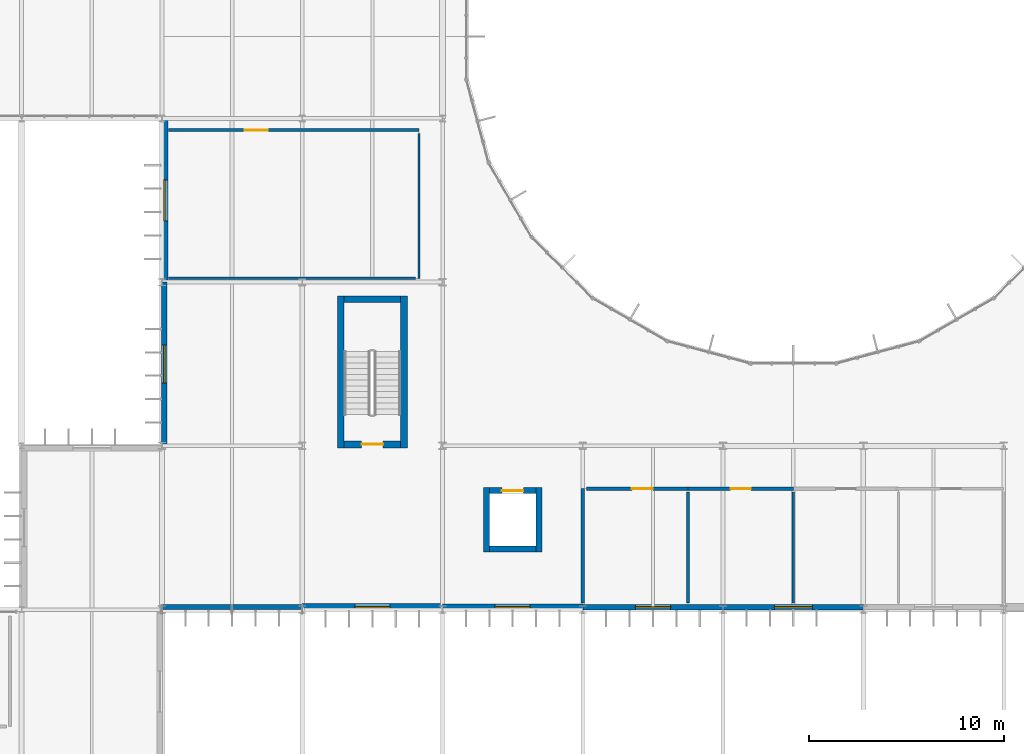
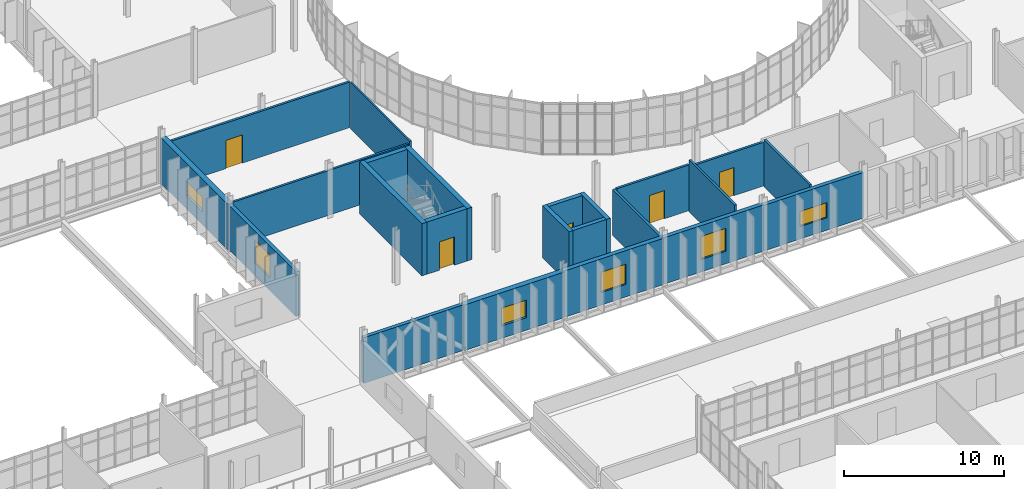
# One storey, part 95 of 119: 23 walls, 6 windows, 5 doors, 11 openings.
"""IFC4 building model written with IfcOpenShell, lengths in metres."""

from ifc_helpers import new_model, si_unit, direction, frame, frame_2d, origin, place, context, subcontext, project, spatial, rectangle, extrude, material, layer, layer_set, type_object, element, fill, save


model = new_model("IFC4")

# Units and contexts
model_context = context("Model", 3, precision=1e-05, world=origin(), true_north=direction((0.0, 1.0)))
body_context = subcontext(model_context, "Body", "Model", "MODEL_VIEW")
ifc_project = project(units=[si_unit("LENGTHUNIT", "METRE"), si_unit("AREAUNIT", "SQUARE_METRE"), si_unit("VOLUMEUNIT", "CUBIC_METRE"), si_unit("PLANEANGLEUNIT", "RADIAN"), si_unit("MASSUNIT", "GRAM", prefix="KILO")], contexts=[model_context])

# Site, building, storey
site_placement = place(None, origin())
site = spatial("IfcSite", under=ifc_project, at=site_placement, CompositionType="ELEMENT")
building_placement = place(site_placement, origin())
building = spatial("IfcBuilding", under=site, at=building_placement, Name="Qelthora Terrace Specialist Clinic", CompositionType="ELEMENT")
storey_placement = place(building_placement, frame((0.0, 0.0, 4.800048828125)))
storey = spatial("IfcBuildingStorey", under=building, at=storey_placement, Name="L01", CompositionType="ELEMENT", Elevation=4.800048828125)

# Walls
ifc_material_1 = material(Name="Concrete C40/50", Category="concrete")
ifc_layer_1 = layer(ifc_material_1, 0.300048828125)
ifc_layer_set_1 = layer_set([ifc_layer_1], Name="Concrete C40/50")
wall_type_1 = type_object("IfcWallType", Name="WAL-CORE-300-C40", PredefinedType="SHEAR", material=ifc_layer_set_1)
for number, where, z_axis, x_axis, name in (
    (1, (110.25, 36.550048828125, 0.0), (0.0, 0.0, 1.0), (0.0, 1.0, 0.0), "Lift PL-01 L01 west shaft wall"),
    (2, (112.949951171875, 36.550048828125, 0.0), (0.0, 0.0, 1.0), (0.0, 1.0, 0.0), "Lift PL-01 L01 east shaft wall"),
):
    element("IfcWall", number, at=place(storey_placement, frame(where, z_axis=z_axis, x_axis=x_axis)), inside=storey, type_object=wall_type_1, Name=name, PredefinedType="SHEAR", context=body_context, shape_type="SweptSolid", body=[
        extrude(rectangle(XDim=3.300048828125, YDim=0.300048828125, at=frame_2d((1.64990234375, 0.0))), origin(), (0.0, 0.0, 1.0), 3.97998046875),
    ])

# Wall, opening, door
wall_1_placement = place(storey_placement, frame((110.39990234375, 39.699951171875, 0.0), z_axis=(0.0, 0.0, 1.0), x_axis=(1.0, 0.0, 0.0)))
wall_1 = element("IfcWall", 3, at=wall_1_placement, inside=storey, type_object=wall_type_1, Name="Lift PL-01 L01 north shaft wall", PredefinedType="SHEAR", context=body_context, shape_type="SweptSolid", body=[
    extrude(rectangle(XDim=2.400146484375, YDim=0.300048828125, at=frame_2d((1.2001953125, 0.0))), origin(), (0.0, 0.0, 1.0), 3.97998046875),
])
opening_1_placement = place(wall_1_placement, frame((0.64990234375, 0.0, 0.0)))
opening_1 = element("IfcOpeningElement", 4, at=opening_1_placement, cuts=wall_1, Name="Opening LD-PL-01-L01", PredefinedType="OPENING", context=body_context, shape_type="SweptSolid", body=[
    extrude(rectangle(XDim=1.10009765625, YDim=2.14990234375, at=frame_2d((0.550048828125, 1.074951171875))), frame((0.0, 0.159912109375, 0.0), z_axis=(0.0, -1.0, 0.0), x_axis=(1.0, 0.0, 0.0)), (0.0, 0.0, 1.0), 0.320068359375),
])
ifc_material_2 = material(Name="Steel S355", Category="steel")
door_type_1 = type_object("IfcDoorType", Name="DOR-LIFT-1100X2150", OperationType="NOTDEFINED", PredefinedType="DOOR", material=ifc_material_2)
door_1_placement = place(opening_1_placement, origin())
door_1 = element("IfcDoor", 5, at=door_1_placement, inside=storey, type_object=door_type_1, Name="Lift landing sliding door LD-PL-01-L01", OperationType="DOUBLE_DOOR_SLIDING", OverallHeight=2.14990234375, OverallWidth=1.10009765625, PredefinedType="DOOR", context=body_context, shape_type="SweptSolid", body=[
    extrude(rectangle(XDim=1.10009765625, YDim=2.14990234375, at=frame_2d((0.550048828125, 1.074951171875))), frame((0.0, 0.02490234375, 0.0), z_axis=(0.0, -1.0, 0.0), x_axis=(1.0, 0.0, 0.0)), (0.0, 0.0, 1.0), 0.050048828125),
])
fill(opening_1, door_1)

# Walls
wall_2_placement = place(storey_placement, frame((110.39990234375, 36.699951171875, 0.0), z_axis=(0.0, 0.0, 1.0), x_axis=(1.0, 0.0, 0.0)))
element("IfcWall", 6, at=wall_2_placement, inside=storey, type_object=wall_type_1, Name="Lift PL-01 L01 south shaft wall", PredefinedType="SHEAR", context=body_context, shape_type="SweptSolid", body=[
    extrude(rectangle(XDim=2.400146484375, YDim=0.300048828125, at=frame_2d((1.2001953125, 0.0))), origin(), (0.0, 0.0, 1.0), 3.97998046875),
])
ifc_layer_2 = layer(ifc_material_1, 0.35009765625)
ifc_layer_set_2 = layer_set([ifc_layer_2], Name="Concrete C40/50")
wall_type_2 = type_object("IfcWallType", Name="WAL-CORE-350-C40", PredefinedType="SHEAR", material=ifc_layer_set_2)
for number, where, z_axis, x_axis, name in (
    (7, (102.77490234375, 41.89990234375, 0.0), (0.0, 0.0, 1.0), (0.0, 1.0, 0.0), "ST-05 L01 west shear core wall"),
    (8, (106.02490234375, 41.89990234375, 0.0), (0.0, 0.0, 1.0), (0.0, 1.0, 0.0), "ST-05 L01 east shear core wall"),
):
    element("IfcWall", number, at=place(storey_placement, frame(where, z_axis=z_axis, x_axis=x_axis)), inside=storey, type_object=wall_type_2, Name=name, PredefinedType="SHEAR", context=body_context, shape_type="SweptSolid", body=[
        extrude(rectangle(XDim=7.800048828125, YDim=0.35009765625, at=frame_2d((3.89990234375, 0.0))), origin(), (0.0, 0.0, 1.0), 3.97998046875),
    ])
wall_3_placement = place(storey_placement, frame((102.949951171875, 49.52490234375, 0.0), z_axis=(0.0, 0.0, 1.0), x_axis=(1.0, 0.0, 0.0)))
element("IfcWall", 9, at=wall_3_placement, inside=storey, type_object=wall_type_2, Name="ST-05 L01 north shear core wall", PredefinedType="SHEAR", context=body_context, shape_type="SweptSolid", body=[
    extrude(rectangle(XDim=2.900146484375, YDim=0.35009765625, at=frame_2d((1.4501953125, 0.0))), origin(), (0.0, 0.0, 1.0), 3.97998046875),
])

# Wall, opening, door
wall_4_placement = place(storey_placement, frame((102.949951171875, 42.074951171875, 0.0), z_axis=(0.0, 0.0, 1.0), x_axis=(1.0, 0.0, 0.0)))
wall_4 = element("IfcWall", 10, at=wall_4_placement, inside=storey, type_object=wall_type_2, Name="ST-05 L01 south shear core wall", PredefinedType="SHEAR", context=body_context, shape_type="SweptSolid", body=[
    extrude(rectangle(XDim=2.900146484375, YDim=0.35009765625, at=frame_2d((1.4501953125, 0.0))), origin(), (0.0, 0.0, 1.0), 3.97998046875),
])
opening_2_placement = place(wall_4_placement, frame((0.89990234375, 0.0, 0.0)))
opening_2 = element("IfcOpeningElement", 11, at=opening_2_placement, cuts=wall_4, Name="Opening D-ST-05-L01", PredefinedType="OPENING", context=body_context, shape_type="SweptSolid", body=[
    extrude(rectangle(XDim=1.10009765625, YDim=2.14990234375, at=frame_2d((0.550048828125, 1.074951171875))), frame((0.0, 0.18505859375, 0.0), z_axis=(0.0, -1.0, 0.0), x_axis=(1.0, 0.0, 0.0)), (0.0, 0.0, 1.0), 0.3701171875),
])
door_type_2 = type_object("IfcDoorType", Name="DOR-STAIR-1100X2150", OperationType="NOTDEFINED", PredefinedType="DOOR", material=ifc_material_2)
door_2_placement = place(opening_2_placement, origin())
door_2 = element("IfcDoor", 12, at=door_2_placement, inside=storey, type_object=door_type_2, Name="Stair fire door D-ST-05-L01", OperationType="SINGLE_SWING_LEFT", OverallHeight=2.14990234375, OverallWidth=1.10009765625, PredefinedType="DOOR", context=body_context, shape_type="SweptSolid", body=[
    extrude(rectangle(XDim=1.10009765625, YDim=2.14990234375, at=frame_2d((0.550048828125, 1.074951171875))), frame((0.0, 0.02490234375, 0.0), z_axis=(0.0, -1.0, 0.0), x_axis=(1.0, 0.0, 0.0)), (0.0, 0.0, 1.0), 0.050048828125),
])
fill(opening_2, door_2)

# Wall, opening, window
ifc_material_3 = material(Name="Precast concrete C40/50", Category="concrete")
ifc_layer_3 = layer(ifc_material_3, 0.260009765625)
ifc_layer_set_3 = layer_set([ifc_layer_3], Name="Precast concrete C40/50")
wall_type_3 = type_object("IfcWallType", Name="WAL-EXT-260-PC40", PredefinedType="SOLIDWALL", material=ifc_layer_set_3)
wall_5_placement = place(storey_placement, frame((93.719970703125, 42.0, 0.0), z_axis=(0.0, 0.0, 1.0), x_axis=(0.0, 1.0, 0.0)))
wall_5 = element("IfcWall", 13, at=wall_5_placement, inside=storey, type_object=wall_type_3, Name="L01 external precast wall 119", PredefinedType="SOLIDWALL", context=body_context, shape_type="SweptSolid", body=[
    extrude(rectangle(XDim=8.39990234375, YDim=0.260009765625, at=frame_2d((4.199951171875, 0.0))), origin(), (0.0, 0.0, 1.0), 3.405029296875),
])
opening_3_placement = place(wall_5_placement, frame((3.22509765625, 0.0, 0.949951171875)))
opening_3 = element("IfcOpeningElement", 14, at=opening_3_placement, cuts=wall_5, Name="Opening WN-L01-092", PredefinedType="OPENING", context=body_context, shape_type="SweptSolid", body=[
    extrude(rectangle(XDim=1.949951171875, YDim=1.75, at=frame_2d((0.97509765625, 0.875))), frame((0.0, 0.139892578125, 0.0), z_axis=(0.0, -1.0, 0.0), x_axis=(1.0, 0.0, 0.0)), (0.0, 0.0, 1.0), 0.280029296875),
])
ifc_material_4 = material(Name="Low-E triple-silver insulating glass", Category="glass")
window_type_1 = type_object("IfcWindowType", Name="WIN-1950X1750", PartitioningType="DOUBLE_PANEL_VERTICAL", PredefinedType="WINDOW", material=ifc_material_4)
window_1_placement = place(opening_3_placement, origin())
window_1 = element("IfcWindow", 15, at=window_1_placement, inside=storey, type_object=window_type_1, Name="Clinical window WN-L01-092", OverallHeight=1.75, OverallWidth=1.949951171875, PartitioningType="SINGLE_PANEL", PredefinedType="WINDOW", context=body_context, shape_type="SweptSolid", body=[
    extrude(rectangle(XDim=1.949951171875, YDim=1.75, at=frame_2d((0.97509765625, 0.875))), frame((0.0, 0.030029296875, 0.0), z_axis=(0.0, -1.0, 0.0), x_axis=(1.0, 0.0, 0.0)), (0.0, 0.0, 1.0), 0.06005859375),
])
fill(opening_3, window_1)

# Wall
wall_6_placement = place(storey_placement, frame((93.60009765625, 33.719970703125, 0.0), z_axis=(0.0, 0.0, 1.0), x_axis=(1.0, 0.0, 0.0)))
element("IfcWall", 16, at=wall_6_placement, inside=storey, type_object=wall_type_3, Name="L01 external precast wall 179", PredefinedType="SOLIDWALL", context=body_context, shape_type="SweptSolid", body=[
    extrude(rectangle(XDim=7.199951171875, YDim=0.260009765625, at=frame_2d((3.60009765625, 0.0))), origin(), (0.0, 0.0, 1.0), 3.475830078125),
])

# Wall, opening, window
ifc_layer_4 = layer(ifc_material_3, 0.280029296875)
ifc_layer_set_4 = layer_set([ifc_layer_4], Name="Precast concrete C40/50")
wall_type_4 = type_object("IfcWallType", Name="WAL-EXT-280-PC40", PredefinedType="SOLIDWALL", material=ifc_layer_set_4)
wall_7_placement = place(storey_placement, frame((122.39990234375, 33.719970703125, 0.0), z_axis=(0.0, 0.0, 1.0), x_axis=(1.0, 0.0, 0.0)))
wall_7 = element("IfcWall", 17, at=wall_7_placement, inside=storey, type_object=wall_type_4, Name="L01 external precast wall 183", PredefinedType="SOLIDWALL", context=body_context, shape_type="SweptSolid", body=[
    extrude(rectangle(XDim=7.2001953125, YDim=0.280029296875, at=frame_2d((3.60009765625, 0.0))), origin(), (0.0, 0.0, 1.0), 3.48193359375),
])
opening_4_placement = place(wall_7_placement, frame((2.625, 0.0, 0.949951171875)))
opening_4 = element("IfcOpeningElement", 18, at=opening_4_placement, cuts=wall_7, Name="Opening WN-L01-153", PredefinedType="OPENING", context=body_context, shape_type="SweptSolid", body=[
    extrude(rectangle(XDim=1.949951171875, YDim=1.14990234375, at=frame_2d((0.97509765625, 0.574951171875))), frame((0.0, 0.14990234375, 0.0), z_axis=(0.0, -1.0, 0.0), x_axis=(1.0, 0.0, 0.0)), (0.0, 0.0, 1.0), 0.300048828125),
])
window_type_2 = type_object("IfcWindowType", Name="WIN-1950X1150", PartitioningType="DOUBLE_PANEL_VERTICAL", PredefinedType="WINDOW", material=ifc_material_4)
window_2_placement = place(opening_4_placement, origin())
window_2 = element("IfcWindow", 19, at=window_2_placement, inside=storey, type_object=window_type_2, Name="Clinical window WN-L01-153", OverallHeight=1.14990234375, OverallWidth=1.949951171875, PartitioningType="SINGLE_PANEL", PredefinedType="WINDOW", context=body_context, shape_type="SweptSolid", body=[
    extrude(rectangle(XDim=1.949951171875, YDim=1.14990234375, at=frame_2d((0.97509765625, 0.574951171875))), frame((0.0, 0.030029296875, 0.0), z_axis=(0.0, -1.0, 0.0), x_axis=(1.0, 0.0, 0.0)), (0.0, 0.0, 1.0), 0.06005859375),
])
fill(opening_4, window_2)

ifc_layer_5 = layer(ifc_material_3, 0.300048828125)
ifc_layer_set_5 = layer_set([ifc_layer_5], Name="Precast concrete C40/50")
wall_type_5 = type_object("IfcWallType", Name="WAL-EXT-300-PC40", PredefinedType="SOLIDWALL", material=ifc_layer_set_5)
wall_8_placement = place(storey_placement, frame((115.199951171875, 33.719970703125, 0.0), z_axis=(0.0, 0.0, 1.0), x_axis=(1.0, 0.0, 0.0)))
wall_8 = element("IfcWall", 20, at=wall_8_placement, inside=storey, type_object=wall_type_5, Name="L01 external precast wall 182", PredefinedType="SOLIDWALL", context=body_context, shape_type="SweptSolid", body=[
    extrude(rectangle(XDim=7.199951171875, YDim=0.300048828125, at=frame_2d((3.60009765625, 0.0))), origin(), (0.0, 0.0, 1.0), 3.529052734375),
])
opening_5_placement = place(wall_8_placement, frame((2.699951171875, 0.0, 0.949951171875)))
opening_5 = element("IfcOpeningElement", 21, at=opening_5_placement, cuts=wall_8, Name="Opening WN-L01-152", PredefinedType="OPENING", context=body_context, shape_type="SweptSolid", body=[
    extrude(rectangle(XDim=1.800048828125, YDim=1.75, at=frame_2d((0.89990234375, 0.875))), frame((0.0, 0.159912109375, 0.0), z_axis=(0.0, -1.0, 0.0), x_axis=(1.0, 0.0, 0.0)), (0.0, 0.0, 1.0), 0.320068359375),
])
window_type_3 = type_object("IfcWindowType", Name="WIN-1800X1750", PartitioningType="DOUBLE_PANEL_VERTICAL", PredefinedType="WINDOW", material=ifc_material_4)
window_3_placement = place(opening_5_placement, origin())
window_3 = element("IfcWindow", 22, at=window_3_placement, inside=storey, type_object=window_type_3, Name="Clinical window WN-L01-152", OverallHeight=1.75, OverallWidth=1.800048828125, PartitioningType="SINGLE_PANEL", PredefinedType="WINDOW", context=body_context, shape_type="SweptSolid", body=[
    extrude(rectangle(XDim=1.800048828125, YDim=1.75, at=frame_2d((0.89990234375, 0.875))), frame((0.0, 0.030029296875, 0.0), z_axis=(0.0, -1.0, 0.0), x_axis=(1.0, 0.0, 0.0)), (0.0, 0.0, 1.0), 0.06005859375),
])
fill(opening_5, window_3)

ifc_layer_6 = layer(ifc_material_3, 0.320068359375)
ifc_layer_set_6 = layer_set([ifc_layer_6], Name="Precast concrete C40/50")
wall_type_6 = type_object("IfcWallType", Name="WAL-EXT-320-PC40", PredefinedType="SOLIDWALL", material=ifc_layer_set_6)
wall_9_placement = place(storey_placement, frame((108.0, 33.719970703125, 0.0), z_axis=(0.0, 0.0, 1.0), x_axis=(1.0, 0.0, 0.0)))
wall_9 = element("IfcWall", 23, at=wall_9_placement, inside=storey, type_object=wall_type_6, Name="L01 external precast wall 181", PredefinedType="SOLIDWALL", context=body_context, shape_type="SweptSolid", body=[
    extrude(rectangle(XDim=7.199951171875, YDim=0.320068359375, at=frame_2d((3.60009765625, 0.0))), origin(), (0.0, 0.0, 1.0), 3.529052734375),
])
opening_6_placement = place(wall_9_placement, frame((2.699951171875, 0.0, 0.949951171875)))
opening_6 = element("IfcOpeningElement", 24, at=opening_6_placement, cuts=wall_9, Name="Opening WN-L01-151", PredefinedType="OPENING", context=body_context, shape_type="SweptSolid", body=[
    extrude(rectangle(XDim=1.800048828125, YDim=1.550048828125, at=frame_2d((0.89990234375, 0.77490234375))), frame((0.0, 0.169921875, 0.0), z_axis=(0.0, -1.0, 0.0), x_axis=(1.0, 0.0, 0.0)), (0.0, 0.0, 1.0), 0.340087890625),
])
window_type_4 = type_object("IfcWindowType", Name="WIN-1800X1550", PartitioningType="DOUBLE_PANEL_VERTICAL", PredefinedType="WINDOW", material=ifc_material_4)
window_4_placement = place(opening_6_placement, origin())
window_4 = element("IfcWindow", 25, at=window_4_placement, inside=storey, type_object=window_type_4, Name="Clinical window WN-L01-151", OverallHeight=1.550048828125, OverallWidth=1.800048828125, PartitioningType="SINGLE_PANEL", PredefinedType="WINDOW", context=body_context, shape_type="SweptSolid", body=[
    extrude(rectangle(XDim=1.800048828125, YDim=1.550048828125, at=frame_2d((0.89990234375, 0.77490234375))), frame((0.0, 0.030029296875, 0.0), z_axis=(0.0, -1.0, 0.0), x_axis=(1.0, 0.0, 0.0)), (0.0, 0.0, 1.0), 0.06005859375),
])
fill(opening_6, window_4)

ifc_layer_7 = layer(ifc_material_3, 0.3798828125)
ifc_layer_set_7 = layer_set([ifc_layer_7], Name="Precast concrete C40/50")
wall_type_7 = type_object("IfcWallType", Name="WAL-EXT-380-PC40", PredefinedType="SOLIDWALL", material=ifc_layer_set_7)
wall_10_placement = place(storey_placement, frame((93.719970703125, 50.39990234375, 0.0), z_axis=(0.0, 0.0, 1.0), x_axis=(0.0, 1.0, 0.0)))
wall_10 = element("IfcWall", 26, at=wall_10_placement, inside=storey, type_object=wall_type_7, Name="L01 external precast wall 120", PredefinedType="SOLIDWALL", context=body_context, shape_type="SweptSolid", body=[
    extrude(rectangle(XDim=8.400146484375, YDim=0.3798828125, at=frame_2d((4.2001953125, 0.0))), origin(), (0.0, 0.0, 1.0), 3.475830078125),
])
opening_7_placement = place(wall_10_placement, frame((3.14990234375, 0.0, 0.949951171875)))
opening_7 = element("IfcOpeningElement", 27, at=opening_7_placement, cuts=wall_10, Name="Opening WN-L01-093", PredefinedType="OPENING", context=body_context, shape_type="SweptSolid", body=[
    extrude(rectangle(XDim=2.10009765625, YDim=1.14990234375, at=frame_2d((1.050048828125, 0.574951171875))), frame((0.0, 0.199951171875, 0.0), z_axis=(0.0, -1.0, 0.0), x_axis=(1.0, 0.0, 0.0)), (0.0, 0.0, 1.0), 0.39990234375),
])
window_type_5 = type_object("IfcWindowType", Name="WIN-2100X1150", PartitioningType="DOUBLE_PANEL_VERTICAL", PredefinedType="WINDOW", material=ifc_material_4)
window_5_placement = place(opening_7_placement, origin())
window_5 = element("IfcWindow", 28, at=window_5_placement, inside=storey, type_object=window_type_5, Name="Clinical window WN-L01-093", OverallHeight=1.14990234375, OverallWidth=2.10009765625, PartitioningType="SINGLE_PANEL", PredefinedType="WINDOW", context=body_context, shape_type="SweptSolid", body=[
    extrude(rectangle(XDim=2.10009765625, YDim=1.14990234375, at=frame_2d((1.050048828125, 0.574951171875))), frame((0.0, 0.030029296875, 0.0), z_axis=(0.0, -1.0, 0.0), x_axis=(1.0, 0.0, 0.0)), (0.0, 0.0, 1.0), 0.06005859375),
])
fill(opening_7, window_5)

wall_11_placement = place(storey_placement, frame((100.800048828125, 33.719970703125, 0.0), z_axis=(0.0, 0.0, 1.0), x_axis=(1.0, 0.0, 0.0)))
wall_11 = element("IfcWall", 29, at=wall_11_placement, inside=storey, type_object=wall_type_7, Name="L01 external precast wall 180", PredefinedType="SOLIDWALL", context=body_context, shape_type="SweptSolid", body=[
    extrude(rectangle(XDim=7.199951171875, YDim=0.3798828125, at=frame_2d((3.60009765625, 0.0))), origin(), (0.0, 0.0, 1.0), 3.48193359375),
])
opening_8_placement = place(wall_11_placement, frame((2.699951171875, 0.0, 0.949951171875)))
opening_8 = element("IfcOpeningElement", 30, at=opening_8_placement, cuts=wall_11, Name="Opening WN-L01-150", PredefinedType="OPENING", context=body_context, shape_type="SweptSolid", body=[
    extrude(rectangle(XDim=1.800048828125, YDim=1.35009765625, at=frame_2d((0.89990234375, 0.675048828125))), frame((0.0, 0.199951171875, 0.0), z_axis=(0.0, -1.0, 0.0), x_axis=(1.0, 0.0, 0.0)), (0.0, 0.0, 1.0), 0.39990234375),
])
window_type_6 = type_object("IfcWindowType", Name="WIN-1800X1350", PartitioningType="DOUBLE_PANEL_VERTICAL", PredefinedType="WINDOW", material=ifc_material_4)
window_6_placement = place(opening_8_placement, origin())
window_6 = element("IfcWindow", 31, at=window_6_placement, inside=storey, type_object=window_type_6, Name="Clinical window WN-L01-150", OverallHeight=1.35009765625, OverallWidth=1.800048828125, PartitioningType="SINGLE_PANEL", PredefinedType="WINDOW", context=body_context, shape_type="SweptSolid", body=[
    extrude(rectangle(XDim=1.800048828125, YDim=1.35009765625, at=frame_2d((0.89990234375, 0.675048828125))), frame((0.0, 0.030029296875, 0.0), z_axis=(0.0, -1.0, 0.0), x_axis=(1.0, 0.0, 0.0)), (0.0, 0.0, 1.0), 0.06005859375),
])
fill(opening_8, window_6)

# Wall
ifc_material_5 = material(Name="Gypsum fire-rated wallboard", Category="gypsum")
ifc_layer_8 = layer(ifc_material_5, 0.179931640625)
ifc_layer_set_8 = layer_set([ifc_layer_8], Name="Gypsum fire-rated wallboard")
wall_type_8 = type_object("IfcWallType", Name="WAL-INT-CLN-180", PredefinedType="PARTITIONING", material=ifc_layer_set_8)
wall_12_placement = place(storey_placement, frame((115.199951171875, 33.93994140625, 0.0), z_axis=(0.0, 0.0, 1.0), x_axis=(0.0, 1.0, 0.0)))
element("IfcWall", 32, at=wall_12_placement, inside=storey, type_object=wall_type_8, Name="Interior clinical partition IWAL-L01-0181", PredefinedType="PARTITIONING", context=body_context, shape_type="SweptSolid", body=[
    extrude(rectangle(XDim=5.860107421875, YDim=0.179931640625, at=frame_2d((2.93017578125, 0.0))), origin(), (0.0, 0.0, 1.0), 3.48486328125),
])

# Wall, opening, door
ifc_layer_9 = layer(ifc_material_5, 0.159912109375)
ifc_layer_set_9 = layer_set([ifc_layer_9], Name="Gypsum fire-rated wallboard")
wall_type_9 = type_object("IfcWallType", Name="WAL-INT-COR-160", PredefinedType="PARTITIONING", material=ifc_layer_set_9)
wall_13_placement = place(storey_placement, frame((115.3798828125, 39.800048828125, 0.0), z_axis=(0.0, 0.0, 1.0), x_axis=(1.0, 0.0, 0.0)))
wall_13 = element("IfcWall", 33, at=wall_13_placement, inside=storey, type_object=wall_type_9, Name="Interior clinical partition IWAL-L01-0182", PredefinedType="PARTITIONING", context=body_context, shape_type="SweptSolid", body=[
    extrude(rectangle(XDim=5.22021484375, YDim=0.159912109375, at=frame_2d((2.610107421875, 0.0))), origin(), (0.0, 0.0, 1.0), 3.48486328125),
])
opening_9_placement = place(wall_13_placement, frame((2.340087890625, 0.0, 0.0)))
opening_9 = element("IfcOpeningElement", 34, at=opening_9_placement, cuts=wall_13, Name="Opening DI-L01-0074", PredefinedType="OPENING", context=body_context, shape_type="SweptSolid", body=[
    extrude(rectangle(XDim=1.080078125, YDim=2.14990234375, at=frame_2d((0.5400390625, 1.074951171875))), frame((0.0, 0.08984375, 0.0), z_axis=(0.0, -1.0, 0.0), x_axis=(1.0, 0.0, 0.0)), (0.0, 0.0, 1.0), 0.179931640625),
])
ifc_material_6 = material(Name="Glulam timber GL28h", Category="wood")
door_type_3 = type_object("IfcDoorType", Name="DOR-CON-1080X2150", OperationType="NOTDEFINED", PredefinedType="DOOR", material=ifc_material_6)
door_3_placement = place(opening_9_placement, frame((1.080078125, 0.0, 0.0), z_axis=(0.0, 0.0, 1.0), x_axis=(-1.0, 0.0, 0.0)))
door_3 = element("IfcDoor", 35, at=door_3_placement, inside=storey, type_object=door_type_3, Name="Interior clinical door DI-L01-0074", OperationType="SINGLE_SWING_LEFT", OverallHeight=2.14990234375, OverallWidth=1.080078125, PredefinedType="DOOR", context=body_context, shape_type="SweptSolid", body=[
    extrude(rectangle(XDim=1.080078125, YDim=2.14990234375, at=frame_2d((0.5400390625, 1.074951171875))), frame((0.0, 0.02490234375, 0.0), z_axis=(0.0, -1.0, 0.0), x_axis=(1.0, 0.0, 0.0)), (0.0, 0.0, 1.0), 0.050048828125),
])
fill(opening_9, door_3)

wall_14_placement = place(storey_placement, frame((120.465087890625, 39.800048828125, 0.0), z_axis=(0.0, 0.0, 1.0), x_axis=(1.0, 0.0, 0.0)))
wall_14 = element("IfcWall", 36, at=wall_14_placement, inside=storey, type_object=wall_type_9, Name="Interior clinical partition IWAL-L01-0184", PredefinedType="PARTITIONING", context=body_context, shape_type="SweptSolid", body=[
    extrude(rectangle(XDim=5.534912109375, YDim=0.159912109375, at=frame_2d((2.767578125, 0.0))), origin(), (0.0, 0.0, 1.0), 3.327880859375),
])
opening_10_placement = place(wall_14_placement, frame((2.3173828125, 0.0, 0.0)))
opening_10 = element("IfcOpeningElement", 37, at=opening_10_placement, cuts=wall_14, Name="Opening DI-L01-0075", PredefinedType="OPENING", context=body_context, shape_type="SweptSolid", body=[
    extrude(rectangle(XDim=1.0400390625, YDim=2.14990234375, at=frame_2d((0.52001953125, 1.074951171875))), frame((0.0, 0.08984375, 0.0), z_axis=(0.0, -1.0, 0.0), x_axis=(1.0, 0.0, 0.0)), (0.0, 0.0, 1.0), 0.179931640625),
])
door_type_4 = type_object("IfcDoorType", Name="DOR-CON-1040X2150", OperationType="NOTDEFINED", PredefinedType="DOOR", material=ifc_material_6)
door_4_placement = place(opening_10_placement, frame((1.0400390625, 0.0, 0.0), z_axis=(0.0, 0.0, 1.0), x_axis=(-1.0, 0.0, 0.0)))
door_4 = element("IfcDoor", 38, at=door_4_placement, inside=storey, type_object=door_type_4, Name="Interior clinical door DI-L01-0075", OperationType="SINGLE_SWING_RIGHT", OverallHeight=2.14990234375, OverallWidth=1.0400390625, PredefinedType="DOOR", context=body_context, shape_type="SweptSolid", body=[
    extrude(rectangle(XDim=1.0400390625, YDim=2.14990234375, at=frame_2d((0.52001953125, 1.074951171875))), frame((0.0, 0.02490234375, 0.0), z_axis=(0.0, -1.0, 0.0), x_axis=(1.0, 0.0, 0.0)), (0.0, 0.0, 1.0), 0.050048828125),
])
fill(opening_10, door_4)

wall_15_placement = place(storey_placement, frame((93.93994140625, 58.199951171875, 0.0), z_axis=(0.0, 0.0, 1.0), x_axis=(1.0, 0.0, 0.0)))
wall_15 = element("IfcWall", 39, at=wall_15_placement, inside=storey, type_object=wall_type_9, Name="Interior clinical partition IWAL-L01-0211", PredefinedType="PARTITIONING", context=body_context, shape_type="SweptSolid", body=[
    extrude(rectangle(XDim=12.860107421875, YDim=0.159912109375, at=frame_2d((6.43017578125, 0.0))), origin(), (0.0, 0.0, 1.0), 3.47900390625),
])
opening_11_placement = place(wall_15_placement, frame((3.89990234375, 0.0, 0.0)))
opening_11 = element("IfcOpeningElement", 40, at=opening_11_placement, cuts=wall_15, Name="Opening DI-L01-0085", PredefinedType="OPENING", context=body_context, shape_type="SweptSolid", body=[
    extrude(rectangle(XDim=1.199951171875, YDim=2.14990234375, at=frame_2d((0.60009765625, 1.074951171875))), frame((0.0, 0.08984375, 0.0), z_axis=(0.0, -1.0, 0.0), x_axis=(1.0, 0.0, 0.0)), (0.0, 0.0, 1.0), 0.179931640625),
])
door_type_5 = type_object("IfcDoorType", Name="DOR-LAB-1200X2150", OperationType="NOTDEFINED", PredefinedType="DOOR", material=ifc_material_2)
door_5_placement = place(opening_11_placement, frame((1.199951171875, 0.0, 0.0), z_axis=(0.0, 0.0, 1.0), x_axis=(-1.0, 0.0, 0.0)))
door_5 = element("IfcDoor", 41, at=door_5_placement, inside=storey, type_object=door_type_5, Name="Interior clinical door DI-L01-0085", OperationType="SINGLE_SWING_RIGHT", OverallHeight=2.14990234375, OverallWidth=1.199951171875, PredefinedType="DOOR", context=body_context, shape_type="SweptSolid", body=[
    extrude(rectangle(XDim=1.199951171875, YDim=2.14990234375, at=frame_2d((0.60009765625, 1.074951171875))), frame((0.0, 0.02490234375, 0.0), z_axis=(0.0, -1.0, 0.0), x_axis=(1.0, 0.0, 0.0)), (0.0, 0.0, 1.0), 0.050048828125),
])
fill(opening_11, door_5)

# Walls
ifc_layer_10 = layer(ifc_material_4, 0.110107421875)
ifc_layer_set_10 = layer_set([ifc_layer_10], Name="Low-E triple-silver insulating glass")
wall_type_10 = type_object("IfcWallType", Name="WAL-INT-GLA-110", PredefinedType="MOVABLE", material=ifc_layer_set_10)
wall_16_placement = place(storey_placement, frame((106.800048828125, 58.02001953125, 0.0), z_axis=(0.0, 0.0, 1.0), x_axis=(0.0, -1.0, 0.0)))
element("IfcWall", 42, at=wall_16_placement, inside=storey, type_object=wall_type_10, Name="Interior clinical partition IWAL-L01-0212", PredefinedType="MOVABLE", context=body_context, shape_type="SweptSolid", body=[
    extrude(rectangle(XDim=7.419921875, YDim=0.110107421875, at=frame_2d((3.7099609375, 0.0))), origin(), (0.0, 0.0, 1.0), 3.534912109375),
])
ifc_material_7 = material(Name="Gypsum moisture-resistant", Category="gypsum")
ifc_layer_11 = layer(ifc_material_7, 0.14990234375)
ifc_layer_set_11 = layer_set([ifc_layer_11], Name="Gypsum moisture-resistant")
wall_type_11 = type_object("IfcWallType", Name="WAL-INT-WET-150", PredefinedType="PLUMBINGWALL", material=ifc_layer_set_11)
wall_17_placement = place(storey_placement, frame((120.60009765625, 39.6201171875, 0.0), z_axis=(0.0, 0.0, 1.0), x_axis=(0.0, -1.0, 0.0)))
element("IfcWall", 43, at=wall_17_placement, inside=storey, type_object=wall_type_11, Name="Interior clinical partition IWAL-L01-0183", PredefinedType="PLUMBINGWALL", context=body_context, shape_type="SweptSolid", body=[
    extrude(rectangle(XDim=5.68017578125, YDim=0.14990234375, at=frame_2d((2.840087890625, 0.0))), origin(), (0.0, 0.0, 1.0), 3.945068359375),
])
wall_18_placement = place(storey_placement, frame((126.0, 39.6201171875, 0.0), z_axis=(0.0, 0.0, 1.0), x_axis=(0.0, -1.0, 0.0)))
element("IfcWall", 44, at=wall_18_placement, inside=storey, type_object=wall_type_11, Name="Interior clinical partition IWAL-L01-0185", PredefinedType="PLUMBINGWALL", context=body_context, shape_type="SweptSolid", body=[
    extrude(rectangle(XDim=5.68017578125, YDim=0.14990234375, at=frame_2d((2.840087890625, 0.0))), origin(), (0.0, 0.0, 1.0), 3.597900390625),
])
wall_19_placement = place(storey_placement, frame((106.6201171875, 50.60009765625, 0.0), z_axis=(0.0, 0.0, 1.0), x_axis=(-1.0, 0.0, 0.0)))
element("IfcWall", 45, at=wall_19_placement, inside=storey, type_object=wall_type_11, Name="Interior clinical partition IWAL-L01-0213", PredefinedType="PLUMBINGWALL", context=body_context, shape_type="SweptSolid", body=[
    extrude(rectangle(XDim=12.68017578125, YDim=0.14990234375, at=frame_2d((6.340087890625, 0.0))), origin(), (0.0, 0.0, 1.0), 3.407958984375),
])

save(model, "model.ifc")
